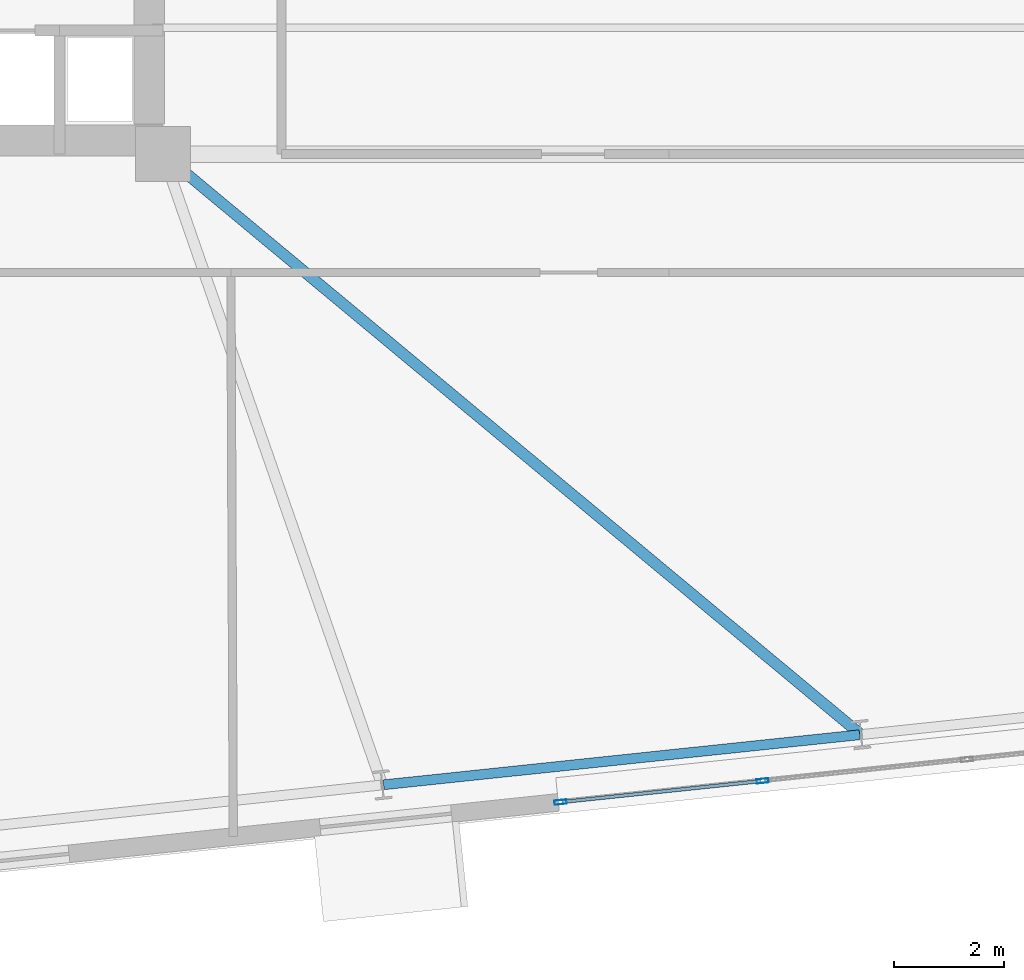
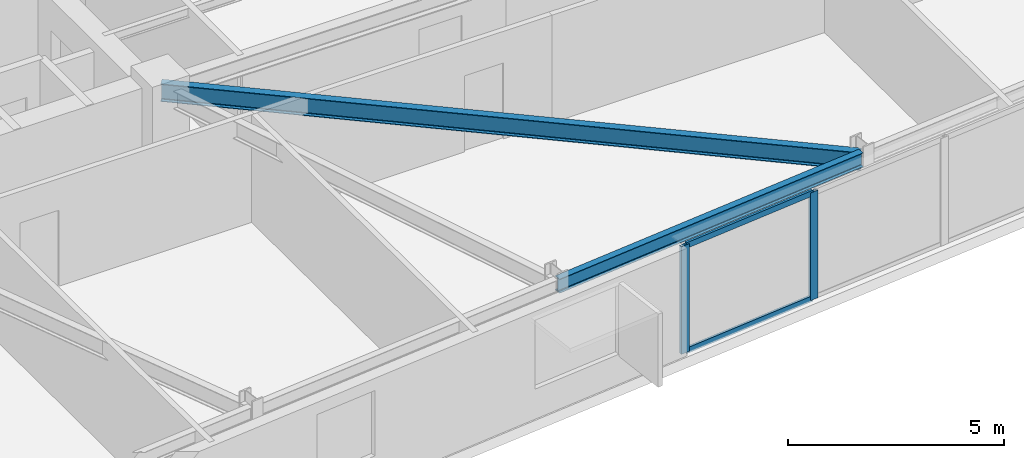
# One storey, part 6 of 23: 4 members, 2 beams, 1 element without a shape of its own.
"""IFC4 building model written with IfcOpenShell, lengths in metres."""

from ifc_helpers import new_model, si_unit, direction, frame, origin, origin_2d, place, context, subcontext, project, spatial, hollow_rectangle, i_section, extrude, material, layer, layer_set, material_profile, profile_set, type_object, element, aggregate, save


model = new_model("IFC4")

# Units and contexts
model_context = context("Model", 3, precision=1e-05, world=origin(), true_north=direction((0.0, 1.0)))
body_context = subcontext(model_context, "Body", "Model", "MODEL_VIEW")
ifc_project = project(units=[si_unit("LENGTHUNIT", "METRE"), si_unit("AREAUNIT", "SQUARE_METRE"), si_unit("VOLUMEUNIT", "CUBIC_METRE"), si_unit("PLANEANGLEUNIT", "RADIAN"), si_unit("MASSUNIT", "GRAM", prefix="KILO")], contexts=[model_context])

# Site, building, storey
site_placement = place(None, origin())
site = spatial("IfcSite", under=ifc_project, at=site_placement, CompositionType="ELEMENT")
building_placement = place(site_placement, origin())
building = spatial("IfcBuilding", under=site, at=building_placement, Name="Qobustan Lattice House", CompositionType="ELEMENT")
storey_placement = place(building_placement, frame((0.0, 0.0, 95.75)))
storey = spatial("IfcBuildingStorey", under=building, at=storey_placement, Name="L26", CompositionType="ELEMENT", Elevation=95.75)

# Beams
ifc_material_1 = material(Name="Steel S355", Category="steel")
ifc_material_profile_1 = material_profile(ifc_material_1, i_section(OverallWidth=0.199951171875, OverallDepth=0.5, WebThickness=0.01025390625, FlangeThickness=0.01611328125, FilletRadius=0.02099609375, at=origin_2d()), Name="IPE500")
ifc_profile_set_1 = profile_set([ifc_material_profile_1], Name="Steel S355")
beam_type_1 = type_object("IfcBeamType", Name="BM-FLG-IPE500", PredefinedType="USERDEFINED", material=ifc_profile_set_1)
beam_1_placement = place(storey_placement, frame((3.467529296875, -16.135009765625, 2.794921875), z_axis=(-0.768858311844, 0.639419186691, 0.0), x_axis=(-0.639419186691, -0.768858311844, 0.0)))
element("IfcBeam", 1, at=beam_1_placement, inside=storey, type_object=beam_type_1, Name="L26 primary floor girder RAD-S4", ObjectType="GIRDER", PredefinedType="USERDEFINED", context=body_context, shape_type="SweptSolid", body=[
    extrude(i_section(OverallWidth=0.199951171875, OverallDepth=0.5, WebThickness=0.01025390625, FlangeThickness=0.01611328125, FilletRadius=0.02099609375, at=origin_2d()), origin(), (0.0, 0.0, 1.0), 16.450927734375),
])
ifc_material_2 = material(Name="Steel S355", Category="steel")
ifc_material_profile_2 = material_profile(ifc_material_2, i_section(OverallWidth=0.179931640625, OverallDepth=0.39990234375, WebThickness=0.008544921875, FlangeThickness=0.013427734375, FilletRadius=0.02099609375, at=origin_2d()), Name="IPE400")
ifc_profile_set_2 = profile_set([ifc_material_profile_2], Name="Steel S355")
beam_type_2 = type_object("IfcBeamType", Name="BM-SPD-IPE400", PredefinedType="SPANDREL", material=ifc_profile_set_2)
beam_2_placement = place(storey_placement, frame((-5.1904296875, -17.06298828125, 2.844970703125), z_axis=(0.994524503348, 0.104503647022, 0.0), x_axis=(-0.104503647022, 0.994524503348, 0.0)))
element("IfcBeam", 2, at=beam_2_placement, inside=storey, type_object=beam_type_2, Name="L26 perimeter spandrel S3-S4", PredefinedType="SPANDREL", context=body_context, shape_type="SweptSolid", body=[
    extrude(i_section(OverallWidth=0.179931640625, OverallDepth=0.39990234375, WebThickness=0.008544921875, FlangeThickness=0.013427734375, FilletRadius=0.02099609375, at=origin_2d()), origin(), (0.0, 0.0, 1.0), 8.699951171875),
])

# Curtain wall, members
ifc_material_3 = material(Name="Anodised aluminium and low-E glazing", Category="aluminium")
ifc_layer = layer(ifc_material_3, 0.219970703125)
ifc_layer_set = layer_set([ifc_layer], Name="Anodised aluminium and low-E glazing")
curtain_wall_type = type_object("IfcCurtainWallType", Name="CW-IWN-01", PredefinedType="USERDEFINED", material=ifc_layer_set)
curtain_wall_placement = place(storey_placement, origin())
curtain_wall = element("IfcCurtainWall", 3, at=curtain_wall_placement, inside=storey, type_object=curtain_wall_type, Name="L26 IWAN-2 walnut-lined iwan curtain wall", ObjectType="CURTAIN WALL", PredefinedType="USERDEFINED")
ifc_material_4 = material(Name="Anodised aluminium EN AW-6063 T6", Category="aluminium")
ifc_material_profile_3 = material_profile(ifc_material_4, hollow_rectangle(XDim=0.080078125, YDim=0.219970703125, WallThickness=0.0048828125, at=origin_2d()), Name="CWM-220x80")
ifc_profile_set_3 = profile_set([ifc_material_profile_3], Name="Anodised aluminium EN AW-6063 T6")
member_type_1 = type_object("IfcMemberType", Name="CWM-MAIN-220", PredefinedType="MULLION", material=ifc_profile_set_3)
member_1_placement = place(storey_placement, frame((1.6982421875, -16.99267578125, 0.0), z_axis=(0.0, 0.0, 1.0), x_axis=(0.104526295675, -0.994522123189, 0.0)))
member_1 = element("IfcMember", 4, at=member_1_placement, type_object=member_type_1, Name="CW-IW mullion 3", PredefinedType="MULLION", context=body_context, shape_type="SweptSolid", body=[
    extrude(hollow_rectangle(XDim=0.080078125, YDim=0.219970703125, WallThickness=0.0048828125, at=origin_2d()), origin(), (0.0, 0.0, 1.0), 3.044921875),
])
member_2_placement = place(storey_placement, frame((-1.974853515625, -17.378662109375, 0.0), z_axis=(0.0, 0.0, 1.0), x_axis=(0.104526295675, -0.994522123189, 0.0)))
member_2 = element("IfcMember", 5, at=member_2_placement, type_object=member_type_1, Name="CW-IW mullion 4", PredefinedType="MULLION", context=body_context, shape_type="SweptSolid", body=[
    extrude(hollow_rectangle(XDim=0.080078125, YDim=0.219970703125, WallThickness=0.0048828125, at=origin_2d()), origin(), (0.0, 0.0, 1.0), 3.044921875),
])
ifc_material_5 = material(Name="Anodised aluminium EN AW-6063 T6", Category="aluminium")
ifc_material_profile_4 = material_profile(ifc_material_5, hollow_rectangle(XDim=0.06494140625, YDim=0.159912109375, WallThickness=0.00390625, at=origin_2d()), Name="CWT-160x65")
ifc_profile_set_4 = profile_set([ifc_material_profile_4], Name="Anodised aluminium EN AW-6063 T6")
member_type_2 = type_object("IfcMemberType", Name="CWT-HOR-160", PredefinedType="USERDEFINED", material=ifc_profile_set_4)
member_3_placement = place(storey_placement, frame((1.658447265625, -16.996826171875, 0.032470703125), z_axis=(-0.99452210074, -0.104526509263, 0.0), x_axis=(0.104526509263, -0.99452210074, 0.0)))
member_3 = element("IfcMember", 6, at=member_3_placement, type_object=member_type_2, Name="CW-IW transom 3.1", ObjectType="TRANSOM", PredefinedType="USERDEFINED", context=body_context, shape_type="SweptSolid", body=[
    extrude(hollow_rectangle(XDim=0.06494140625, YDim=0.159912109375, WallThickness=0.00390625, at=origin_2d()), origin(), (0.0, 0.0, 1.0), 3.61328125),
])
member_4_placement = place(storey_placement, frame((1.658447265625, -16.996826171875, 3.012451171875), z_axis=(-0.99452210074, -0.104526509263, 0.0), x_axis=(0.104526509263, -0.99452210074, 0.0)))
member_4 = element("IfcMember", 7, at=member_4_placement, type_object=member_type_2, Name="CW-IW transom 3.2", ObjectType="TRANSOM", PredefinedType="USERDEFINED", context=body_context, shape_type="SweptSolid", body=[
    extrude(hollow_rectangle(XDim=0.06494140625, YDim=0.159912109375, WallThickness=0.00390625, at=origin_2d()), origin(), (0.0, 0.0, 1.0), 3.61328125),
])
aggregate(curtain_wall, [member_1, member_2, member_3, member_4])

save(model, "model.ifc")
